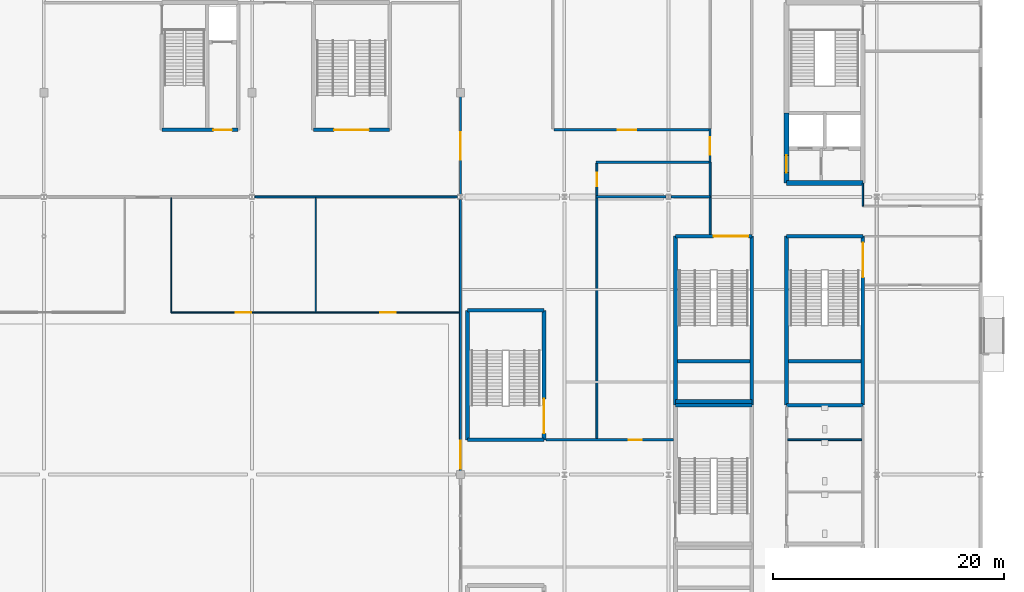
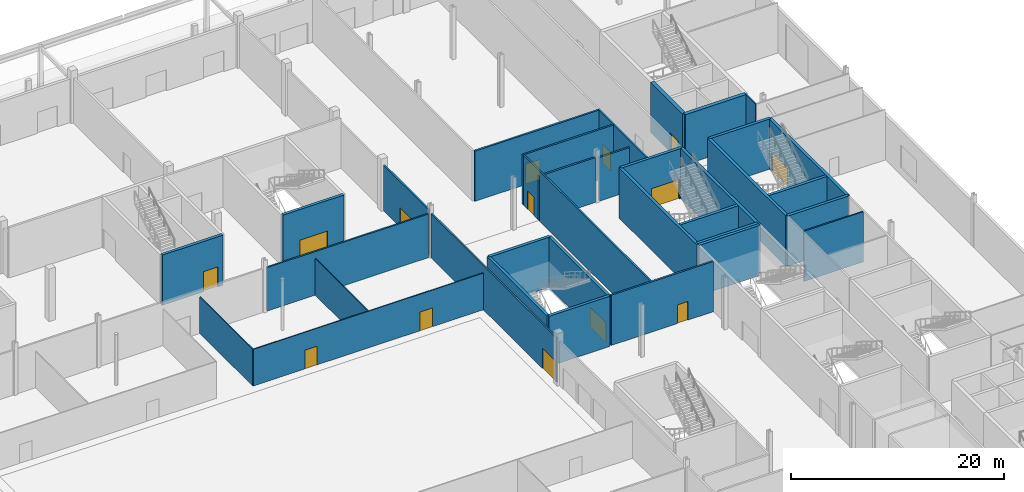
# One storey, part 41 of 84: 35 walls, 14 doors, 14 openings.
"""IFC4 building model written with IfcOpenShell, lengths in metres."""

from ifc_helpers import new_model, si_unit, direction, frame, frame_2d, origin, place, context, subcontext, project, spatial, rectangle, extrude, material, layer, layer_set, type_object, element, fill, save


model = new_model("IFC4")

# Units and contexts
model_context = context("Model", 3, precision=1e-05, world=origin(), true_north=direction((0.0, 1.0)))
body_context = subcontext(model_context, "Body", "Model", "MODEL_VIEW")
ifc_project = project(units=[si_unit("LENGTHUNIT", "METRE"), si_unit("AREAUNIT", "SQUARE_METRE"), si_unit("VOLUMEUNIT", "CUBIC_METRE"), si_unit("PLANEANGLEUNIT", "RADIAN"), si_unit("MASSUNIT", "GRAM", prefix="KILO")], contexts=[model_context])

# Site, building, storey
site_placement = place(None, origin())
site = spatial("IfcSite", under=ifc_project, at=site_placement, CompositionType="ELEMENT")
building_placement = place(site_placement, origin())
building = spatial("IfcBuilding", under=site, at=building_placement, Name="Kisiwana Market Hall", CompositionType="ELEMENT")
storey_placement = place(building_placement, origin())
storey = spatial("IfcBuildingStorey", under=building, at=storey_placement, Name="L00", CompositionType="ELEMENT", Elevation=0.0)

# Wall, opening, door
ifc_material_1 = material(Name="Masonry blockwork", Category="masonry")
ifc_layer_1 = layer(ifc_material_1, 0.199951171875, Name="Plastered fire compartment block wall")
ifc_layer_set_1 = layer_set([ifc_layer_1], Name="WL-COMP-200")
wall_type_1 = type_object("IfcWallType", Name="WL-COMP-200", PredefinedType="PARTITIONING", material=ifc_layer_set_1)
wall_1_placement = place(storey_placement, frame((160.389892578125, 63.0, 0.0), z_axis=(0.0, 0.0, 1.0), x_axis=(1.0, 0.0, 0.0)))
wall_1 = element("IfcWall", 1, at=wall_1_placement, inside=storey, type_object=wall_type_1, Name="Interior partition W-0582", PredefinedType="PARTITIONING", context=body_context, shape_type="SweptSolid", body=[
    extrude(rectangle(XDim=11.050048828125, YDim=0.199951171875, at=frame_2d((5.52490234375, 0.0))), origin(), (0.0, 0.0, 1.0), 5.75),
])
opening_1_placement = place(wall_1_placement, frame((7.159912109375, 0.0, 0.0)))
opening_1 = element("IfcOpeningElement", 2, at=opening_1_placement, cuts=wall_1, Name="Opening DR-L00-066", PredefinedType="OPENING", context=body_context, shape_type="SweptSolid", body=[
    extrude(rectangle(XDim=1.14990234375, YDim=2.14990234375, at=frame_2d((0.574951171875, 1.074951171875))), frame((0.0, 0.11181640625, 0.0), z_axis=(0.0, -1.0, 0.0), x_axis=(1.0, 0.0, 0.0)), (0.0, 0.0, 1.0), 0.223876953125),
])
ifc_material_2 = material(Name="Aluminium alloy 6063-T6", Category="aluminium")
door_type_1 = type_object("IfcDoorType", Name="DR-MEET-1150", OperationType="NOTDEFINED", PredefinedType="DOOR", material=ifc_material_2)
door_1_placement = place(opening_1_placement, origin())
door_1 = element("IfcDoor", 3, at=door_1_placement, inside=storey, type_object=door_type_1, Name="L00 E Loading Dispatch Office Door", OperationType="SINGLE_SWING_RIGHT", OverallHeight=2.14990234375, OverallWidth=1.14990234375, PredefinedType="DOOR", context=body_context, shape_type="SweptSolid", body=[
    extrude(rectangle(XDim=1.14990234375, YDim=2.14990234375, at=frame_2d((0.574951171875, 1.074951171875))), frame((0.0, 0.02490234375, 0.0), z_axis=(0.0, -1.0, 0.0), x_axis=(1.0, 0.0, 0.0)), (0.0, 0.0, 1.0), 0.050048828125),
])
fill(opening_1, door_1)

# Walls
wall_2_placement = place(storey_placement, frame((164.715087890625, 84.0, 0.0), z_axis=(0.0, 0.0, 1.0), x_axis=(1.0, 0.0, 0.0)))
element("IfcWall", 4, at=wall_2_placement, inside=storey, type_object=wall_type_1, Name="Interior partition W-0583", PredefinedType="PARTITIONING", context=body_context, shape_type="SweptSolid", body=[
    extrude(rectangle(XDim=6.0673828125, YDim=0.199951171875, at=frame_2d((3.03369140625, 0.0))), origin(), (0.0, 0.0, 1.0), 5.1376953125),
])
wall_3_placement = place(storey_placement, frame((171.217529296875, 84.0, 0.0), z_axis=(0.0, 0.0, 1.0), x_axis=(1.0, 0.0, 0.0)))
element("IfcWall", 5, at=wall_3_placement, inside=storey, type_object=wall_type_1, Name="Interior partition W-0584", PredefinedType="PARTITIONING", context=body_context, shape_type="SweptSolid", body=[
    extrude(rectangle(XDim=3.382568359375, YDim=0.199951171875, at=frame_2d((1.69140625, 0.0))), origin(), (0.0, 0.0, 1.0), 4.98779296875),
])
wall_4_placement = place(storey_placement, frame((164.715087890625, 87.0, 0.0), z_axis=(0.0, 0.0, 1.0), x_axis=(1.0, 0.0, 0.0)))
element("IfcWall", 6, at=wall_4_placement, inside=storey, type_object=wall_type_1, Name="Interior partition W-0585", PredefinedType="PARTITIONING", context=body_context, shape_type="SweptSolid", body=[
    extrude(rectangle(XDim=9.885009765625, YDim=0.199951171875, at=frame_2d((4.9423828125, 0.0))), origin(), (0.0, 0.0, 1.0), 5.75),
])

# Wall, opening, door
wall_5_placement = place(storey_placement, frame((161.0849609375, 89.800048828125, 0.0), z_axis=(0.0, 0.0, 1.0), x_axis=(1.0, 0.0, 0.0)))
wall_5 = element("IfcWall", 7, at=wall_5_placement, inside=storey, type_object=wall_type_1, Name="Interior partition W-0586", PredefinedType="PARTITIONING", context=body_context, shape_type="SweptSolid", body=[
    extrude(rectangle(XDim=13.429931640625, YDim=0.199951171875, at=frame_2d((6.71484375, 0.0))), origin(), (0.0, 0.0, 1.0), 5.75),
])
opening_2_placement = place(wall_5_placement, frame((5.52001953125, 0.0, 0.0)))
opening_2 = element("IfcOpeningElement", 8, at=opening_2_placement, cuts=wall_5, Name="Opening DR-L00-067", PredefinedType="OPENING", context=body_context, shape_type="SweptSolid", body=[
    extrude(rectangle(XDim=1.60009765625, YDim=2.300048828125, at=frame_2d((0.800048828125, 1.14990234375))), frame((0.0, 0.11181640625, 0.0), z_axis=(0.0, -1.0, 0.0), x_axis=(1.0, 0.0, 0.0)), (0.0, 0.0, 1.0), 0.223876953125),
])
ifc_material_3 = material(Name="Steel S275", Category="steel")
door_type_2 = type_object("IfcDoorType", Name="DR-PLANT-FD120-1600", OperationType="DOUBLE_DOOR_SINGLE_SWING", PredefinedType="DOOR", material=ifc_material_3)
door_2_placement = place(opening_2_placement, origin())
door_2 = element("IfcDoor", 9, at=door_2_placement, inside=storey, type_object=door_type_2, Name="L00 E Covered Service Yard Door", OperationType="DOUBLE_DOOR_SINGLE_SWING", OverallHeight=2.300048828125, OverallWidth=1.60009765625, PredefinedType="DOOR", context=body_context, shape_type="SweptSolid", body=[
    extrude(rectangle(XDim=1.60009765625, YDim=2.300048828125, at=frame_2d((0.800048828125, 1.14990234375))), frame((0.0, 0.02490234375, 0.0), z_axis=(0.0, -1.0, 0.0), x_axis=(1.0, 0.0, 0.0)), (0.0, 0.0, 1.0), 0.050048828125),
])
fill(opening_2, door_2)

ifc_material_4 = material(Name="Concrete C40/50", Category="concrete")
ifc_layer_2 = layer(ifc_material_4, 0.320068359375, Name="Reinforced concrete shaft wall")
ifc_layer_set_2 = layer_set([ifc_layer_2], Name="WL-CORE-320")
wall_type_2 = type_object("IfcWallType", Name="WL-CORE-320", PredefinedType="SHEAR", material=ifc_layer_set_2)
wall_6_placement = place(storey_placement, frame((127.199951171875, 89.800048828125, 0.0), z_axis=(0.0, 0.0, 1.0), x_axis=(1.0, 0.0, 0.0)))
wall_6 = element("IfcWall", 10, at=wall_6_placement, inside=storey, type_object=wall_type_2, Name="Core N2 south wall W-0387", PredefinedType="SHEAR", context=body_context, shape_type="SweptSolid", body=[
    extrude(rectangle(XDim=6.60009765625, YDim=0.320068359375, at=frame_2d((3.300048828125, 0.0))), origin(), (0.0, 0.0, 1.0), 5.75),
])
opening_3_placement = place(wall_6_placement, frame((4.449951171875, 0.0, 0.0)))
opening_3 = element("IfcOpeningElement", 11, at=opening_3_placement, cuts=wall_6, Name="Opening DR-L00-018", PredefinedType="OPENING", context=body_context, shape_type="SweptSolid", body=[
    extrude(rectangle(XDim=1.60009765625, YDim=2.300048828125, at=frame_2d((0.800048828125, 1.14990234375))), frame((0.0, 0.171875, 0.0), z_axis=(0.0, -1.0, 0.0), x_axis=(1.0, 0.0, 0.0)), (0.0, 0.0, 1.0), 0.343994140625),
])
door_3_placement = place(opening_3_placement, origin())
door_3 = element("IfcDoor", 12, at=door_3_placement, inside=storey, type_object=door_type_2, Name="Goods Lift Lobby N2 Door (L00)", OperationType="DOUBLE_DOOR_SINGLE_SWING", OverallHeight=2.300048828125, OverallWidth=1.60009765625, PredefinedType="DOOR", context=body_context, shape_type="SweptSolid", body=[
    extrude(rectangle(XDim=1.60009765625, YDim=2.300048828125, at=frame_2d((0.800048828125, 1.14990234375))), frame((0.0, 0.02490234375, 0.0), z_axis=(0.0, -1.0, 0.0), x_axis=(1.0, 0.0, 0.0)), (0.0, 0.0, 1.0), 0.050048828125),
])
fill(opening_3, door_3)

# Walls
for number, where, z_axis, x_axis, name in (
    (13, (181.199951171875, 66.0, 0.0), (0.0, 0.0, 1.0), (1.0, 0.0, 0.0), "Core E4 south shear wall W-0408"),
    (14, (181.199951171875, 80.60009765625, 0.0), (0.0, 0.0, 1.0), (1.0, 0.0, 0.0), "Core E4 north shear wall W-0409"),
):
    element("IfcWall", number, at=place(storey_placement, frame(where, z_axis=z_axis, x_axis=x_axis)), inside=storey, type_object=wall_type_2, Name=name, PredefinedType="SHEAR", context=body_context, shape_type="SweptSolid", body=[
        extrude(rectangle(XDim=6.60009765625, YDim=0.320068359375, at=frame_2d((3.300048828125, 0.0))), origin(), (0.0, 0.0, 1.0), 5.75),
    ])
wall_7_placement = place(storey_placement, frame((181.199951171875, 66.0, 0.0), z_axis=(0.0, 0.0, 1.0), x_axis=(0.0, 1.0, 0.0)))
element("IfcWall", 15, at=wall_7_placement, inside=storey, type_object=wall_type_2, Name="Core E4 outer shear wall W-0410", PredefinedType="SHEAR", context=body_context, shape_type="SweptSolid", body=[
    extrude(rectangle(XDim=14.60009765625, YDim=0.320068359375, at=frame_2d((7.300048828125, 0.0))), origin(), (0.0, 0.0, 1.0), 5.75),
])

# Wall, opening, door
wall_8_placement = place(storey_placement, frame((187.800048828125, 66.0, 0.0), z_axis=(0.0, 0.0, 1.0), x_axis=(0.0, 1.0, 0.0)))
wall_8 = element("IfcWall", 16, at=wall_8_placement, inside=storey, type_object=wall_type_2, Name="Core E4 corridor shear wall W-0411", PredefinedType="SHEAR", context=body_context, shape_type="SweptSolid", body=[
    extrude(rectangle(XDim=14.60009765625, YDim=0.320068359375, at=frame_2d((7.300048828125, 0.0))), origin(), (0.0, 0.0, 1.0), 5.75),
])
opening_4_placement = place(wall_8_placement, frame((11.050048828125, 0.0, 0.0)))
opening_4 = element("IfcOpeningElement", 17, at=opening_4_placement, cuts=wall_8, Name="Opening DR-L00-022", PredefinedType="OPENING", context=body_context, shape_type="SweptSolid", body=[
    extrude(rectangle(XDim=3.0, YDim=2.25, at=frame_2d((1.5, 1.125))), frame((0.0, 0.171875, 0.0), z_axis=(0.0, -1.0, 0.0), x_axis=(1.0, 0.0, 0.0)), (0.0, 0.0, 1.0), 0.343994140625),
])
ifc_material_5 = material(Name="Steel S275", Category="steel")
door_type_3 = type_object("IfcDoorType", Name="DR-STAIR-FD120-3000", OperationType="DOUBLE_DOOR_SINGLE_SWING", PredefinedType="DOOR", material=ifc_material_5)
door_4_placement = place(opening_4_placement, frame((3.0, 0.0, 0.0), z_axis=(0.0, 0.0, 1.0), x_axis=(-1.0, 0.0, 0.0)))
door_4 = element("IfcDoor", 18, at=door_4_placement, inside=storey, type_object=door_type_3, Name="Escape Stair E4 Fire Door (L00)", OperationType="DOUBLE_DOOR_SINGLE_SWING", OverallHeight=2.25, OverallWidth=3.0, PredefinedType="DOOR", context=body_context, shape_type="SweptSolid", body=[
    extrude(rectangle(XDim=3.0, YDim=2.25, at=frame_2d((1.5, 1.125))), frame((0.0, 0.02490234375, 0.0), z_axis=(0.0, -1.0, 0.0), x_axis=(1.0, 0.0, 0.0)), (0.0, 0.0, 1.0), 0.050048828125),
])
fill(opening_4, door_4)

# Walls
wall_9_placement = place(storey_placement, frame((181.360107421875, 69.780029296875, 0.0), z_axis=(0.0, 0.0, 1.0), x_axis=(1.0, 0.0, 0.0)))
element("IfcWall", 19, at=wall_9_placement, inside=storey, type_object=wall_type_2, Name="Core E4 riser divider shear wall W-0412", PredefinedType="SHEAR", context=body_context, shape_type="SweptSolid", body=[
    extrude(rectangle(XDim=6.27978515625, YDim=0.320068359375, at=frame_2d((3.139892578125, 0.0))), origin(), (0.0, 0.0, 1.0), 5.75),
])
wall_10_placement = place(storey_placement, frame((171.60009765625, 66.0, 0.0), z_axis=(0.0, 0.0, 1.0), x_axis=(1.0, 0.0, 0.0)))
element("IfcWall", 20, at=wall_10_placement, inside=storey, type_object=wall_type_2, Name="Core E8 outer shear wall W-0428", PredefinedType="SHEAR", context=body_context, shape_type="SweptSolid", body=[
    extrude(rectangle(XDim=6.599853515625, YDim=0.320068359375, at=frame_2d((3.2998046875, 0.0))), origin(), (0.0, 0.0, 1.0), 5.75),
])

# Wall, opening, door
wall_11_placement = place(storey_placement, frame((171.60009765625, 80.60009765625, 0.0), z_axis=(0.0, 0.0, 1.0), x_axis=(1.0, 0.0, 0.0)))
wall_11 = element("IfcWall", 21, at=wall_11_placement, inside=storey, type_object=wall_type_2, Name="Core E8 corridor shear wall W-0429", PredefinedType="SHEAR", context=body_context, shape_type="SweptSolid", body=[
    extrude(rectangle(XDim=6.599853515625, YDim=0.320068359375, at=frame_2d((3.2998046875, 0.0))), origin(), (0.0, 0.0, 1.0), 5.75),
])
opening_5_placement = place(wall_11_placement, frame((3.300048828125, 0.0, 0.0)))
opening_5 = element("IfcOpeningElement", 22, at=opening_5_placement, cuts=wall_11, Name="Opening DR-L00-026", PredefinedType="OPENING", context=body_context, shape_type="SweptSolid", body=[
    extrude(rectangle(XDim=3.0, YDim=2.25, at=frame_2d((1.5, 1.125))), frame((0.0, 0.171875, 0.0), z_axis=(0.0, -1.0, 0.0), x_axis=(1.0, 0.0, 0.0)), (0.0, 0.0, 1.0), 0.343994140625),
])
door_5_placement = place(opening_5_placement, frame((3.0, 0.0, 0.0), z_axis=(0.0, 0.0, 1.0), x_axis=(-1.0, 0.0, 0.0)))
door_5 = element("IfcDoor", 23, at=door_5_placement, inside=storey, type_object=door_type_3, Name="Escape Stair E8 Fire Door (L00)", OperationType="DOUBLE_DOOR_SINGLE_SWING", OverallHeight=2.25, OverallWidth=3.0, PredefinedType="DOOR", context=body_context, shape_type="SweptSolid", body=[
    extrude(rectangle(XDim=3.0, YDim=2.25, at=frame_2d((1.5, 1.125))), frame((0.0, 0.02490234375, 0.0), z_axis=(0.0, -1.0, 0.0), x_axis=(1.0, 0.0, 0.0)), (0.0, 0.0, 1.0), 0.050048828125),
])
fill(opening_5, door_5)

# Walls
for number, where, z_axis, x_axis, name in (
    (24, (171.60009765625, 66.0, 0.0), (0.0, 0.0, 1.0), (0.0, 1.0, 0.0), "Core E8 west shear wall W-0430"),
    (25, (178.199951171875, 66.0, 0.0), (0.0, 0.0, 1.0), (0.0, 1.0, 0.0), "Core E8 east shear wall W-0431"),
):
    element("IfcWall", number, at=place(storey_placement, frame(where, z_axis=z_axis, x_axis=x_axis)), inside=storey, type_object=wall_type_2, Name=name, PredefinedType="SHEAR", context=body_context, shape_type="SweptSolid", body=[
        extrude(rectangle(XDim=14.60009765625, YDim=0.320068359375, at=frame_2d((7.300048828125, 0.0))), origin(), (0.0, 0.0, 1.0), 5.75),
    ])
wall_12_placement = place(storey_placement, frame((171.760009765625, 69.780029296875, 0.0), z_axis=(0.0, 0.0, 1.0), x_axis=(1.0, 0.0, 0.0)))
element("IfcWall", 26, at=wall_12_placement, inside=storey, type_object=wall_type_2, Name="Core E8 riser divider shear wall W-0432", PredefinedType="SHEAR", context=body_context, shape_type="SweptSolid", body=[
    extrude(rectangle(XDim=6.280029296875, YDim=0.320068359375, at=frame_2d((3.14013671875, 0.0))), origin(), (0.0, 0.0, 1.0), 5.75),
])
for number, where, z_axis, x_axis, name in (
    (27, (153.6298828125, 63.0, 0.0), (0.0, 0.0, 1.0), (1.0, 0.0, 0.0), "Core E10 south shear wall W-0445"),
    (28, (153.6298828125, 74.199951171875, 0.0), (0.0, 0.0, 1.0), (1.0, 0.0, 0.0), "Core E10 north shear wall W-0446"),
):
    element("IfcWall", number, at=place(storey_placement, frame(where, z_axis=z_axis, x_axis=x_axis)), inside=storey, type_object=wall_type_2, Name=name, PredefinedType="SHEAR", context=body_context, shape_type="SweptSolid", body=[
        extrude(rectangle(XDim=6.60009765625, YDim=0.320068359375, at=frame_2d((3.300048828125, 0.0))), origin(), (0.0, 0.0, 1.0), 5.75),
    ])
wall_13_placement = place(storey_placement, frame((153.6298828125, 63.0, 0.0), z_axis=(0.0, 0.0, 1.0), x_axis=(0.0, 1.0, 0.0)))
element("IfcWall", 29, at=wall_13_placement, inside=storey, type_object=wall_type_2, Name="Core E10 outer shear wall W-0447", PredefinedType="SHEAR", context=body_context, shape_type="SweptSolid", body=[
    extrude(rectangle(XDim=11.199951171875, YDim=0.320068359375, at=frame_2d((5.60009765625, 0.0))), origin(), (0.0, 0.0, 1.0), 5.75),
])

# Wall, opening, door
wall_14_placement = place(storey_placement, frame((160.22998046875, 63.0, 0.0), z_axis=(0.0, 0.0, 1.0), x_axis=(0.0, 1.0, 0.0)))
wall_14 = element("IfcWall", 30, at=wall_14_placement, inside=storey, type_object=wall_type_2, Name="Core E10 corridor shear wall W-0448", PredefinedType="SHEAR", context=body_context, shape_type="SweptSolid", body=[
    extrude(rectangle(XDim=11.199951171875, YDim=0.320068359375, at=frame_2d((5.60009765625, 0.0))), origin(), (0.0, 0.0, 1.0), 5.75),
])
opening_6_placement = place(wall_14_placement, frame((0.550048828125, 0.0, 0.0)))
opening_6 = element("IfcOpeningElement", 31, at=opening_6_placement, cuts=wall_14, Name="Opening DR-L00-030", PredefinedType="OPENING", context=body_context, shape_type="SweptSolid", body=[
    extrude(rectangle(XDim=3.0, YDim=2.25, at=frame_2d((1.5, 1.125))), frame((0.0, 0.171875, 0.0), z_axis=(0.0, -1.0, 0.0), x_axis=(1.0, 0.0, 0.0)), (0.0, 0.0, 1.0), 0.343994140625),
])
door_6_placement = place(opening_6_placement, frame((3.0, 0.0, 0.0), z_axis=(0.0, 0.0, 1.0), x_axis=(-1.0, 0.0, 0.0)))
door_6 = element("IfcDoor", 32, at=door_6_placement, inside=storey, type_object=door_type_3, Name="Escape Stair E10 Fire Door (L00)", OperationType="DOUBLE_DOOR_SINGLE_SWING", OverallHeight=2.25, OverallWidth=3.0, PredefinedType="DOOR", context=body_context, shape_type="SweptSolid", body=[
    extrude(rectangle(XDim=3.0, YDim=2.25, at=frame_2d((1.5, 1.125))), frame((0.0, 0.02490234375, 0.0), z_axis=(0.0, -1.0, 0.0), x_axis=(1.0, 0.0, 0.0)), (0.0, 0.0, 1.0), 0.050048828125),
])
fill(opening_6, door_6)

# Wall
wall_15_placement = place(storey_placement, frame((171.60009765625, 66.320068359375, 0.0), z_axis=(0.0, 0.0, 1.0), x_axis=(1.0, 0.0, 0.0)))
element("IfcWall", 33, at=wall_15_placement, inside=storey, type_object=wall_type_2, Name="Core E5 north shear wall W-0454", PredefinedType="SHEAR", context=body_context, shape_type="SweptSolid", body=[
    extrude(rectangle(XDim=6.599853515625, YDim=0.320068359375, at=frame_2d((3.2998046875, 0.0))), origin(), (0.0, 0.0, 1.0), 5.75),
])

# Wall, opening, door
wall_16_placement = place(storey_placement, frame((140.300048828125, 89.800048828125, 0.0), z_axis=(0.0, 0.0, 1.0), x_axis=(1.0, 0.0, 0.0)))
wall_16 = element("IfcWall", 34, at=wall_16_placement, inside=storey, type_object=wall_type_2, Name="Core N6 corridor shear wall W-0485", PredefinedType="SHEAR", context=body_context, shape_type="SweptSolid", body=[
    extrude(rectangle(XDim=6.599853515625, YDim=0.320068359375, at=frame_2d((3.2998046875, 0.0))), origin(), (0.0, 0.0, 1.0), 5.75),
])
opening_7_placement = place(wall_16_placement, frame((1.800048828125, 0.0, 0.0)))
opening_7 = element("IfcOpeningElement", 35, at=opening_7_placement, cuts=wall_16, Name="Opening DR-L00-040", PredefinedType="OPENING", context=body_context, shape_type="SweptSolid", body=[
    extrude(rectangle(XDim=3.0, YDim=2.25, at=frame_2d((1.5, 1.125))), frame((0.0, 0.171875, 0.0), z_axis=(0.0, -1.0, 0.0), x_axis=(1.0, 0.0, 0.0)), (0.0, 0.0, 1.0), 0.343994140625),
])
door_7_placement = place(opening_7_placement, frame((3.0, 0.0, 0.0), z_axis=(0.0, 0.0, 1.0), x_axis=(-1.0, 0.0, 0.0)))
door_7 = element("IfcDoor", 36, at=door_7_placement, inside=storey, type_object=door_type_3, Name="Escape Stair N6 Fire Door (L00)", OperationType="DOUBLE_DOOR_SINGLE_SWING", OverallHeight=2.25, OverallWidth=3.0, PredefinedType="DOOR", context=body_context, shape_type="SweptSolid", body=[
    extrude(rectangle(XDim=3.0, YDim=2.25, at=frame_2d((1.5, 1.125))), frame((0.0, 0.02490234375, 0.0), z_axis=(0.0, -1.0, 0.0), x_axis=(1.0, 0.0, 0.0)), (0.0, 0.0, 1.0), 0.050048828125),
])
fill(opening_7, door_7)

# Wall
ifc_material_6 = material(Name="Concrete C40/50", Category="concrete")
ifc_layer_3 = layer(ifc_material_6, 0.39990234375, Name="Reinforced concrete core wall")
ifc_layer_set_3 = layer_set([ifc_layer_3], Name="WL-CORE-400")
wall_type_3 = type_object("IfcWallType", Name="WL-CORE-400", PredefinedType="SHEAR", material=ifc_layer_set_3)
wall_17_placement = place(storey_placement, frame((181.199951171875, 85.199951171875, 0.0), z_axis=(0.0, 0.0, 1.0), x_axis=(1.0, 0.0, 0.0)))
element("IfcWall", 37, at=wall_17_placement, inside=storey, type_object=wall_type_3, Name="Core E1 south shear wall W-0362", PredefinedType="SHEAR", context=body_context, shape_type="SweptSolid", body=[
    extrude(rectangle(XDim=6.60009765625, YDim=0.39990234375, at=frame_2d((3.300048828125, 0.0))), origin(), (0.0, 0.0, 1.0), 5.75),
])

# Wall, opening, door
wall_18_placement = place(storey_placement, frame((181.199951171875, 85.199951171875, 0.0), z_axis=(0.0, 0.0, 1.0), x_axis=(0.0, 1.0, 0.0)))
wall_18 = element("IfcWall", 38, at=wall_18_placement, inside=storey, type_object=wall_type_3, Name="Core E1 lobby corridor shear wall W-0365", PredefinedType="SHEAR", context=body_context, shape_type="SweptSolid", body=[
    extrude(rectangle(XDim=6.0400390625, YDim=0.39990234375, at=frame_2d((3.02001953125, 0.0))), origin(), (0.0, 0.0, 1.0), 5.75),
])
opening_8_placement = place(wall_18_placement, frame((0.89990234375, 0.0, 0.0)))
opening_8 = element("IfcOpeningElement", 39, at=opening_8_placement, cuts=wall_18, Name="Opening DR-L00-010", PredefinedType="OPENING", context=body_context, shape_type="SweptSolid", body=[
    extrude(rectangle(XDim=1.5, YDim=2.199951171875, at=frame_2d((0.75, 1.10009765625))), frame((0.0, 0.2119140625, 0.0), z_axis=(0.0, -1.0, 0.0), x_axis=(1.0, 0.0, 0.0)), (0.0, 0.0, 1.0), 0.423828125),
])
ifc_material_7 = material(Name="Steel S275", Category="steel")
door_type_4 = type_object("IfcDoorType", Name="DR-CORR-FD60-1500", OperationType="DOUBLE_DOOR_SINGLE_SWING", PredefinedType="DOOR", material=ifc_material_7)
door_8_placement = place(opening_8_placement, origin())
door_8 = element("IfcDoor", 40, at=door_8_placement, inside=storey, type_object=door_type_4, Name="Passenger Lift Lobby E1 Smoke Door (L00)", OperationType="DOUBLE_DOOR_SINGLE_SWING", OverallHeight=2.199951171875, OverallWidth=1.5, PredefinedType="DOOR", context=body_context, shape_type="SweptSolid", body=[
    extrude(rectangle(XDim=1.5, YDim=2.199951171875, at=frame_2d((0.75, 1.10009765625))), frame((0.0, 0.02490234375, 0.0), z_axis=(0.0, -1.0, 0.0), x_axis=(1.0, 0.0, 0.0)), (0.0, 0.0, 1.0), 0.050048828125),
])
fill(opening_8, door_8)

ifc_material_8 = material(Name="Masonry blockwork", Category="masonry")
ifc_layer_4 = layer(ifc_material_8, 0.169921875, Name="Protected corridor partition")
ifc_layer_set_4 = layer_set([ifc_layer_4], Name="WL-CORR-170")
wall_type_4 = type_object("IfcWallType", Name="WL-CORR-170", PredefinedType="PARTITIONING", material=ifc_layer_set_4)
wall_19_placement = place(storey_placement, frame((153.0, 60.219970703125, 0.0), z_axis=(0.0, 0.0, 1.0), x_axis=(0.0, 1.0, 0.0)))
wall_19 = element("IfcWall", 41, at=wall_19_placement, inside=storey, type_object=wall_type_4, Name="Interior partition W-0593", PredefinedType="PARTITIONING", context=body_context, shape_type="SweptSolid", body=[
    extrude(rectangle(XDim=23.56005859375, YDim=0.169921875, at=frame_2d((11.780029296875, 0.0))), origin(), (0.0, 0.0, 1.0), 5.06640625),
])
opening_9_placement = place(wall_19_placement, frame((0.280029296875, 0.0, 0.0)))
opening_9 = element("IfcOpeningElement", 42, at=opening_9_placement, cuts=wall_19, Name="Opening DR-L00-077", PredefinedType="OPENING", context=body_context, shape_type="SweptSolid", body=[
    extrude(rectangle(XDim=2.39990234375, YDim=2.35009765625, at=frame_2d((1.199951171875, 1.175048828125))), frame((0.0, 0.096923828125, 0.0), z_axis=(0.0, -1.0, 0.0), x_axis=(1.0, 0.0, 0.0)), (0.0, 0.0, 1.0), 0.19384765625),
])
ifc_material_9 = material(Name="Steel S275", Category="steel")
door_type_5 = type_object("IfcDoorType", Name="DR-HALL-2400", OperationType="DOUBLE_DOOR_SINGLE_SWING", PredefinedType="DOOR", material=ifc_material_9)
door_9_placement = place(opening_9_placement, origin())
door_9 = element("IfcDoor", 43, at=door_9_placement, inside=storey, type_object=door_type_5, Name="L00 E East Market Concourse Hall Door 4", OperationType="DOUBLE_DOOR_SINGLE_SWING", OverallHeight=2.35009765625, OverallWidth=2.39990234375, PredefinedType="DOOR", context=body_context, shape_type="SweptSolid", body=[
    extrude(rectangle(XDim=2.39990234375, YDim=2.35009765625, at=frame_2d((1.199951171875, 1.175048828125))), frame((0.0, 0.02490234375, 0.0), z_axis=(0.0, -1.0, 0.0), x_axis=(1.0, 0.0, 0.0)), (0.0, 0.0, 1.0), 0.050048828125),
])
fill(opening_9, door_9)

wall_20_placement = place(storey_placement, frame((153.0, 84.219970703125, 0.0), z_axis=(0.0, 0.0, 1.0), x_axis=(0.0, 1.0, 0.0)))
wall_20 = element("IfcWall", 44, at=wall_20_placement, inside=storey, type_object=wall_type_4, Name="Interior partition W-0594", PredefinedType="PARTITIONING", context=body_context, shape_type="SweptSolid", body=[
    extrude(rectangle(XDim=8.56005859375, YDim=0.169921875, at=frame_2d((4.280029296875, 0.0))), origin(), (0.0, 0.0, 1.0), 5.216796875),
])
opening_10_placement = place(wall_20_placement, frame((2.97998046875, 0.0, 0.0)))
opening_10 = element("IfcOpeningElement", 45, at=opening_10_placement, cuts=wall_20, Name="Opening DR-L00-078", PredefinedType="OPENING", context=body_context, shape_type="SweptSolid", body=[
    extrude(rectangle(XDim=2.39990234375, YDim=2.199951171875, at=frame_2d((1.199951171875, 1.10009765625))), frame((0.0, 0.096923828125, 0.0), z_axis=(0.0, -1.0, 0.0), x_axis=(1.0, 0.0, 0.0)), (0.0, 0.0, 1.0), 0.19384765625),
])
ifc_material_10 = material(Name="Steel S275", Category="steel")
door_type_6 = type_object("IfcDoorType", Name="DR-CORR-FD60-2400", OperationType="DOUBLE_DOOR_SINGLE_SWING", PredefinedType="DOOR", material=ifc_material_10)
door_10_placement = place(opening_10_placement, origin())
door_10 = element("IfcDoor", 46, at=door_10_placement, inside=storey, type_object=door_type_6, Name="L00 E North Spine Link Door", OperationType="DOUBLE_DOOR_SINGLE_SWING", OverallHeight=2.199951171875, OverallWidth=2.39990234375, PredefinedType="DOOR", context=body_context, shape_type="SweptSolid", body=[
    extrude(rectangle(XDim=2.39990234375, YDim=2.199951171875, at=frame_2d((1.199951171875, 1.10009765625))), frame((0.0, 0.02490234375, 0.0), z_axis=(0.0, -1.0, 0.0), x_axis=(1.0, 0.0, 0.0)), (0.0, 0.0, 1.0), 0.050048828125),
])
fill(opening_10, door_10)

# Walls
wall_21_placement = place(storey_placement, frame((135.25, 84.0, 0.0), z_axis=(0.0, 0.0, 1.0), x_axis=(1.0, 0.0, 0.0)))
element("IfcWall", 47, at=wall_21_placement, inside=storey, type_object=wall_type_4, Name="Interior partition W-0640", PredefinedType="PARTITIONING", context=body_context, shape_type="SweptSolid", body=[
    extrude(rectangle(XDim=17.5, YDim=0.169921875, at=frame_2d((8.75, 0.0))), origin(), (0.0, 0.0, 1.0), 4.98779296875),
])
wall_22_placement = place(storey_placement, frame((174.60009765625, 80.760009765625, 0.0), z_axis=(0.0, 0.0, 1.0), x_axis=(0.0, 1.0, 0.0)))
element("IfcWall", 48, at=wall_22_placement, inside=storey, type_object=wall_type_4, Name="Interior partition W-0648", PredefinedType="PARTITIONING", context=body_context, shape_type="SweptSolid", body=[
    extrude(rectangle(XDim=6.239990234375, YDim=0.169921875, at=frame_2d((3.1201171875, 0.0))), origin(), (0.0, 0.0, 1.0), 5.75),
])

# Wall, opening, door
wall_23_placement = place(storey_placement, frame((164.800048828125, 63.10009765625, 0.0), z_axis=(0.0, 0.0, 1.0), x_axis=(0.0, 1.0, 0.0)))
wall_23 = element("IfcWall", 49, at=wall_23_placement, inside=storey, type_object=wall_type_4, Name="Interior partition W-0664", PredefinedType="PARTITIONING", context=body_context, shape_type="SweptSolid", body=[
    extrude(rectangle(XDim=23.7998046875, YDim=0.169921875, at=frame_2d((11.89990234375, 0.0))), origin(), (0.0, 0.0, 1.0), 5.75),
])
opening_11_placement = place(wall_23_placement, frame((21.830078125, 0.0, 0.0)))
opening_11 = element("IfcOpeningElement", 50, at=opening_11_placement, cuts=wall_23, Name="Opening DR-L00-112", PredefinedType="OPENING", context=body_context, shape_type="SweptSolid", body=[
    extrude(rectangle(XDim=1.14990234375, YDim=2.14990234375, at=frame_2d((0.574951171875, 1.074951171875))), frame((0.0, 0.096923828125, 0.0), z_axis=(0.0, -1.0, 0.0), x_axis=(1.0, 0.0, 0.0)), (0.0, 0.0, 1.0), 0.19384765625),
])
door_11_placement = place(opening_11_placement, origin())
door_11 = element("IfcDoor", 51, at=door_11_placement, inside=storey, type_object=door_type_1, Name="L00 E Service Yard Vestibule Door", OperationType="SINGLE_SWING_RIGHT", OverallHeight=2.14990234375, OverallWidth=1.14990234375, PredefinedType="DOOR", context=body_context, shape_type="SweptSolid", body=[
    extrude(rectangle(XDim=1.14990234375, YDim=2.14990234375, at=frame_2d((0.574951171875, 1.074951171875))), frame((0.0, 0.02490234375, 0.0), z_axis=(0.0, -1.0, 0.0), x_axis=(1.0, 0.0, 0.0)), (0.0, 0.0, 1.0), 0.050048828125),
])
fill(opening_11, door_11)

wall_24_placement = place(storey_placement, frame((174.60009765625, 87.0, 0.0), z_axis=(0.0, 0.0, 1.0), x_axis=(0.0, 1.0, 0.0)))
wall_24 = element("IfcWall", 52, at=wall_24_placement, inside=storey, type_object=wall_type_4, Name="Interior partition W-0667", PredefinedType="PARTITIONING", context=body_context, shape_type="SweptSolid", body=[
    extrude(rectangle(XDim=2.89990234375, YDim=0.169921875, at=frame_2d((1.449951171875, 0.0))), origin(), (0.0, 0.0, 1.0), 5.75),
])
opening_12_placement = place(wall_24_placement, frame((0.64990234375, 0.0, 0.0)))
opening_12 = element("IfcOpeningElement", 53, at=opening_12_placement, cuts=wall_24, Name="Opening DR-L00-115", PredefinedType="OPENING", context=body_context, shape_type="SweptSolid", body=[
    extrude(rectangle(XDim=1.5, YDim=2.199951171875, at=frame_2d((0.75, 1.10009765625))), frame((0.0, 0.096923828125, 0.0), z_axis=(0.0, -1.0, 0.0), x_axis=(1.0, 0.0, 0.0)), (0.0, 0.0, 1.0), 0.19384765625),
])
door_12_placement = place(opening_12_placement, frame((1.5, 0.0, 0.0), z_axis=(0.0, 0.0, 1.0), x_axis=(-1.0, 0.0, 0.0)))
door_12 = element("IfcDoor", 54, at=door_12_placement, inside=storey, type_object=door_type_4, Name="L00 E North Market Link Corridor Cross Door", OperationType="DOUBLE_DOOR_SINGLE_SWING", OverallHeight=2.199951171875, OverallWidth=1.5, PredefinedType="DOOR", context=body_context, shape_type="SweptSolid", body=[
    extrude(rectangle(XDim=1.5, YDim=2.199951171875, at=frame_2d((0.75, 1.10009765625))), frame((0.0, 0.02490234375, 0.0), z_axis=(0.0, -1.0, 0.0), x_axis=(1.0, 0.0, 0.0)), (0.0, 0.0, 1.0), 0.050048828125),
])
fill(opening_12, door_12)

# Walls
ifc_material_11 = material(Name="Gypsum plasterboard")
ifc_layer_5 = layer(ifc_material_11, 0.125, Name="Double gypsum board + acoustic stud")
ifc_layer_set_5 = layer_set([ifc_layer_5], Name="WL-OFF-125")
wall_type_5 = type_object("IfcWallType", Name="WL-OFF-125", PredefinedType="PARTITIONING", material=ifc_layer_set_5)
wall_25_placement = place(storey_placement, frame((187.800048828125, 83.199951171875, 0.0), z_axis=(0.0, 0.0, 1.0), x_axis=(0.0, 1.0, 0.0)))
element("IfcWall", 55, at=wall_25_placement, inside=storey, type_object=wall_type_5, Name="Interior partition W-0567", PredefinedType="PARTITIONING", context=body_context, shape_type="SweptSolid", body=[
    extrude(rectangle(XDim=2.0, YDim=0.125, at=frame_2d((1.0, 0.0))), origin(), (0.0, 0.0, 1.0), 5.75),
])
ifc_material_12 = material(Name="Masonry blockwork", Category="masonry")
ifc_layer_6 = layer(ifc_material_12, 0.10009765625, Name="Tiled stall dwarf/full partition")
ifc_layer_set_6 = layer_set([ifc_layer_6], Name="WL-STALL-100")
wall_type_6 = type_object("IfcWallType", Name="WL-STALL-100", PredefinedType="PARTITIONING", material=ifc_layer_set_6)
wall_26_placement = place(storey_placement, frame((128.0, 74.0, 0.0), z_axis=(0.0, 0.0, 1.0), x_axis=(0.0, 1.0, 0.0)))
element("IfcWall", 56, at=wall_26_placement, inside=storey, type_object=wall_type_6, Name="Interior partition W-0620", PredefinedType="PARTITIONING", context=body_context, shape_type="SweptSolid", body=[
    extrude(rectangle(XDim=9.9150390625, YDim=0.10009765625, at=frame_2d((4.95751953125, 0.0))), origin(), (0.0, 0.0, 1.0), 4.199951171875),
])
wall_27_placement = place(storey_placement, frame((140.5, 74.050048828125, 0.0), z_axis=(0.0, 0.0, 1.0), x_axis=(0.0, 1.0, 0.0)))
element("IfcWall", 57, at=wall_27_placement, inside=storey, type_object=wall_type_6, Name="Interior partition W-0622", PredefinedType="PARTITIONING", context=body_context, shape_type="SweptSolid", body=[
    extrude(rectangle(XDim=9.864990234375, YDim=0.10009765625, at=frame_2d((4.9326171875, 0.0))), origin(), (0.0, 0.0, 1.0), 4.199951171875),
])

# Wall, openings, doors
wall_28_placement = place(storey_placement, frame((128.0, 74.0, 0.0), z_axis=(0.0, 0.0, 1.0), x_axis=(1.0, 0.0, 0.0)))
wall_28 = element("IfcWall", 58, at=wall_28_placement, inside=storey, type_object=wall_type_6, Name="Interior partition W-0624", PredefinedType="PARTITIONING", context=body_context, shape_type="SweptSolid", body=[
    extrude(rectangle(XDim=24.9150390625, YDim=0.10009765625, at=frame_2d((12.45751953125, 0.0))), origin(), (0.0, 0.0, 1.0), 4.199951171875),
])
opening_13_placement = place(wall_28_placement, frame((5.574951171875, 0.0, 0.0)))
opening_13 = element("IfcOpeningElement", 59, at=opening_13_placement, cuts=wall_28, Name="Opening DR-L00-093", PredefinedType="OPENING", context=body_context, shape_type="SweptSolid", body=[
    extrude(rectangle(XDim=1.35009765625, YDim=2.14990234375, at=frame_2d((0.675048828125, 1.074951171875))), frame((0.0, 0.06201171875, 0.0), z_axis=(0.0, -1.0, 0.0), x_axis=(1.0, 0.0, 0.0)), (0.0, 0.0, 1.0), 0.1240234375),
])
opening_14_placement = place(wall_28_placement, frame((18.074951171875, 0.0, 0.0)))
opening_14 = element("IfcOpeningElement", 60, at=opening_14_placement, cuts=wall_28, Name="Opening DR-L00-094", PredefinedType="OPENING", context=body_context, shape_type="SweptSolid", body=[
    extrude(rectangle(XDim=1.35009765625, YDim=2.14990234375, at=frame_2d((0.675048828125, 1.074951171875))), frame((0.0, 0.06201171875, 0.0), z_axis=(0.0, -1.0, 0.0), x_axis=(1.0, 0.0, 0.0)), (0.0, 0.0, 1.0), 0.1240234375),
])
ifc_material_13 = material(Name="Aluminium alloy 6063-T6", Category="aluminium")
door_type_7 = type_object("IfcDoorType", Name="DR-STALL-1350", OperationType="SLIDING_TO_RIGHT", PredefinedType="DOOR", material=ifc_material_13)
door_13_placement = place(opening_13_placement, origin())
door_13 = element("IfcDoor", 61, at=door_13_placement, inside=storey, type_object=door_type_7, Name="L00 Seafood Stall N07 Door", OperationType="SLIDING_TO_RIGHT", OverallHeight=2.14990234375, OverallWidth=1.35009765625, PredefinedType="DOOR", context=body_context, shape_type="SweptSolid", body=[
    extrude(rectangle(XDim=1.35009765625, YDim=2.14990234375, at=frame_2d((0.675048828125, 1.074951171875))), frame((0.0, 0.02490234375, 0.0), z_axis=(0.0, -1.0, 0.0), x_axis=(1.0, 0.0, 0.0)), (0.0, 0.0, 1.0), 0.050048828125),
])
fill(opening_13, door_13)
door_14_placement = place(opening_14_placement, origin())
door_14 = element("IfcDoor", 62, at=door_14_placement, inside=storey, type_object=door_type_7, Name="L00 Seafood Stall N08 Door", OperationType="SLIDING_TO_RIGHT", OverallHeight=2.14990234375, OverallWidth=1.35009765625, PredefinedType="DOOR", context=body_context, shape_type="SweptSolid", body=[
    extrude(rectangle(XDim=1.35009765625, YDim=2.14990234375, at=frame_2d((0.675048828125, 1.074951171875))), frame((0.0, 0.02490234375, 0.0), z_axis=(0.0, -1.0, 0.0), x_axis=(1.0, 0.0, 0.0)), (0.0, 0.0, 1.0), 0.050048828125),
])
fill(opening_14, door_14)

# Wall
ifc_material_14 = material(Name="Masonry blockwork", Category="masonry")
ifc_layer_7 = layer(ifc_material_14, 0.14990234375, Name="Water-resistant sanitary block wall")
ifc_layer_set_7 = layer_set([ifc_layer_7], Name="WL-WET-150")
wall_type_7 = type_object("IfcWallType", Name="WL-WET-150", PredefinedType="PARTITIONING", material=ifc_layer_set_7)
wall_29_placement = place(storey_placement, frame((181.284912109375, 63.0, 0.0), z_axis=(0.0, 0.0, 1.0), x_axis=(1.0, 0.0, 0.0)))
element("IfcWall", 63, at=wall_29_placement, inside=storey, type_object=wall_type_7, Name="Interior partition W-0565", PredefinedType="PARTITIONING", context=body_context, shape_type="SweptSolid", body=[
    extrude(rectangle(XDim=6.43017578125, YDim=0.14990234375, at=frame_2d((3.215087890625, 0.0))), origin(), (0.0, 0.0, 1.0), 5.75),
])

save(model, "model.ifc")
